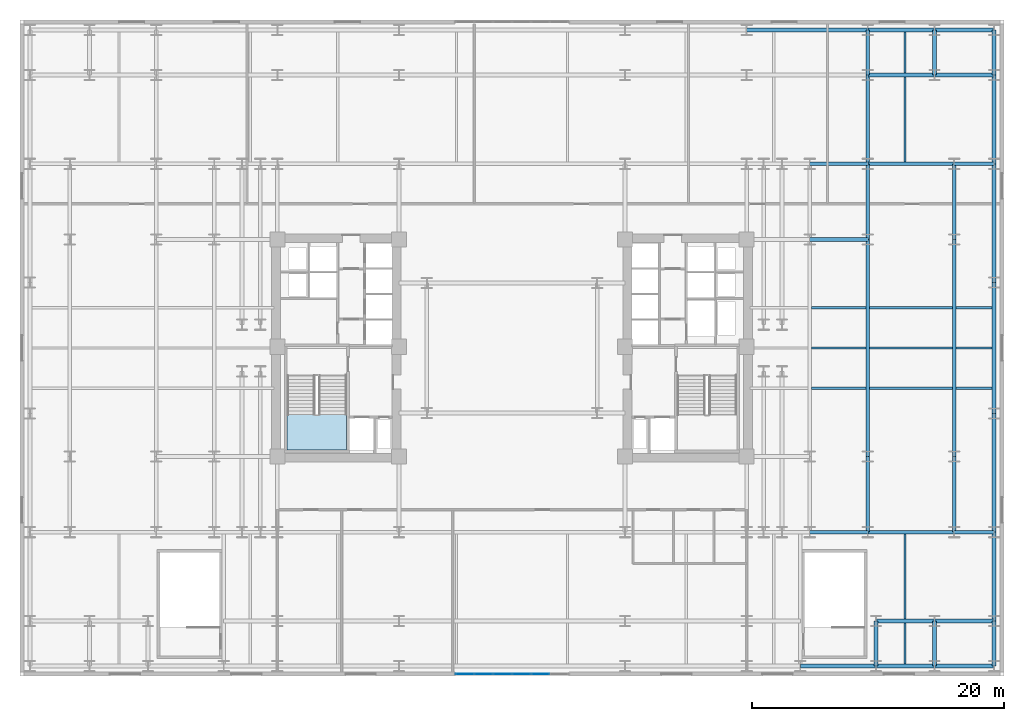
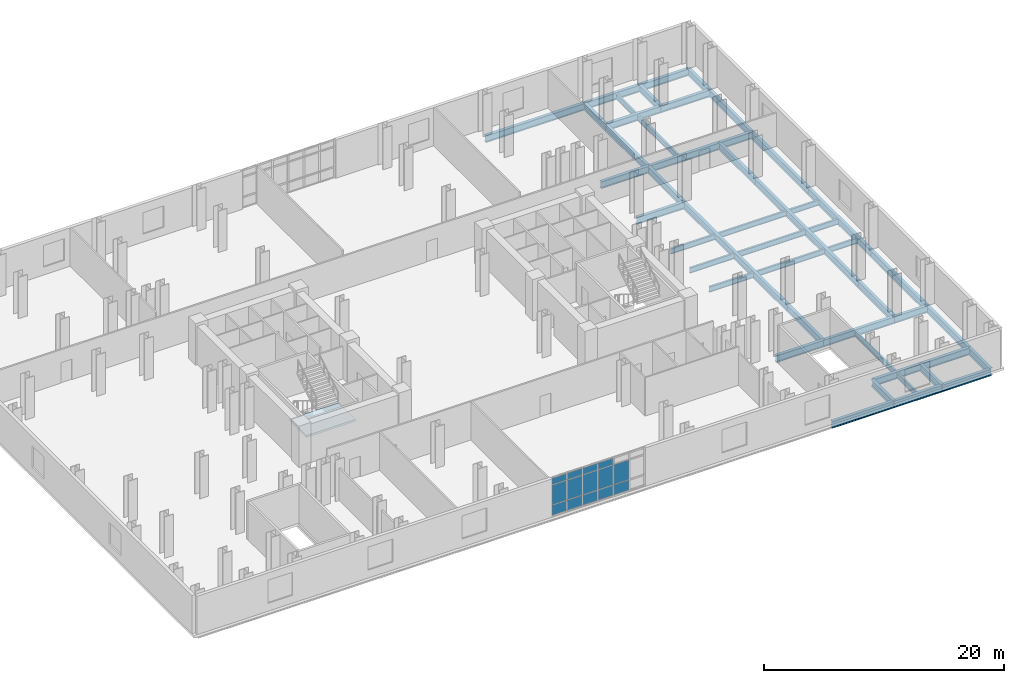
# One storey, part 6 of 13: 48 beams, 14 plates, 1 slab, 2 elements without a shape of their own.
"""IFC4 building model written with IfcOpenShell, lengths in metres."""

from ifc_helpers import new_model, si_unit, direction, frame, origin, origin_2d, place, context, subcontext, project, spatial, polyline, rectangle, i_section, outline, extrude, material, layer, layer_set, material_profile, profile_set, type_object, element, aggregate, save


model = new_model("IFC4")

# Units and contexts
model_context = context("Model", 3, precision=1e-05, world=origin(), true_north=direction((0.0, 1.0)))
body_context = subcontext(model_context, "Body", "Model", "MODEL_VIEW")
ifc_project = project(units=[si_unit("LENGTHUNIT", "METRE"), si_unit("AREAUNIT", "SQUARE_METRE"), si_unit("VOLUMEUNIT", "CUBIC_METRE"), si_unit("PLANEANGLEUNIT", "RADIAN"), si_unit("MASSUNIT", "GRAM", prefix="KILO")], contexts=[model_context])

# Site, building, storey
site_placement = place(None, origin())
site = spatial("IfcSite", under=ifc_project, at=site_placement, CompositionType="ELEMENT")
building_placement = place(site_placement, origin())
building = spatial("IfcBuilding", under=site, at=building_placement, Name="Velakula Bourse", CompositionType="ELEMENT")
storey_placement = place(building_placement, frame((0.0, 0.0, 22.800048828125)))
storey = spatial("IfcBuildingStorey", under=building, at=storey_placement, Name="L05", CompositionType="ELEMENT", Elevation=22.800048828125)

# Beams
ifc_material_1 = material(Name="Steel IS 2062 Grade 350 (E350)", Category="steel")
ifc_material_profile_1 = material_profile(ifc_material_1, i_section(OverallWidth=0.300048828125, OverallDepth=0.699951171875, WebThickness=0.01611328125, FlangeThickness=0.02490234375, at=origin_2d()), Name="Steel IS 2062 Grade 350 (E350)")
ifc_profile_set_1 = profile_set([ifc_material_profile_1], Name="Steel IS 2062 Grade 350 (E350)")
beam_type_1 = type_object("IfcBeamType", Name="BM-POD-700", PredefinedType="BEAM", material=ifc_profile_set_1)
for number, where, z_axis, x_axis, name in (
    (1, (23.60009765625, -14.60009765625, -0.60009765625), (1.0, 0.0, 0.0), (0.0, 1.0, 0.0), "L05 Fulcrum Grid Girder WNG-ES1"),
    (2, (23.60009765625, 8.60009765625, -0.60009765625), (1.0, 0.0, 0.0), (0.0, 1.0, 0.0), "L05 Fulcrum Grid Girder WNG-EN1"),
    (3, (23.60009765625, 14.60009765625, -0.60009765625), (1.0, 0.0, 0.0), (0.0, 1.0, 0.0), "L05 Fulcrum Grid Girder WNG-EN2"),
):
    element("IfcBeam", number, at=place(storey_placement, frame(where, z_axis=z_axis, x_axis=x_axis)), inside=storey, type_object=beam_type_1, Name=name, PredefinedType="BEAM", context=body_context, shape_type="SweptSolid", body=[
        extrude(i_section(OverallWidth=0.300048828125, OverallDepth=0.699951171875, WebThickness=0.01611328125, FlangeThickness=0.02490234375, at=origin_2d()), origin(), (0.0, 0.0, 1.0), 4.599853515625),
    ])
beam_1_placement = place(storey_placement, frame((28.199951171875, -14.60009765625, -0.60009765625), z_axis=(0.0, 1.0, 0.0), x_axis=(-1.0, 0.0, 0.0)))
element("IfcBeam", 4, at=beam_1_placement, inside=storey, type_object=beam_type_1, Name="L05 Fulcrum Grid Girder WNG-ENS1", PredefinedType="BEAM", context=body_context, shape_type="SweptSolid", body=[
    extrude(i_section(OverallWidth=0.300048828125, OverallDepth=0.699951171875, WebThickness=0.01611328125, FlangeThickness=0.02490234375, at=origin_2d()), origin(), (0.0, 0.0, 1.0), 6.0),
])
beam_2_placement = place(storey_placement, frame((28.199951171875, -8.60009765625, -0.60009765625), z_axis=(0.0, 1.0, 0.0), x_axis=(-1.0, 0.0, 0.0)))
element("IfcBeam", 5, at=beam_2_placement, inside=storey, type_object=beam_type_1, Name="L05 Fulcrum Grid Girder WNG-ENS2", PredefinedType="BEAM", context=body_context, shape_type="SweptSolid", body=[
    extrude(i_section(OverallWidth=0.300048828125, OverallDepth=0.699951171875, WebThickness=0.01611328125, FlangeThickness=0.02490234375, at=origin_2d()), origin(), (0.0, 0.0, 1.0), 17.2001953125),
])
for number, where, z_axis, x_axis, name in (
    (6, (28.199951171875, 8.60009765625, -0.60009765625), (0.0, 1.0, 0.0), (-1.0, 0.0, 0.0), "L05 Fulcrum Grid Girder WNG-ENS3"),
    (7, (22.85009765625, -25.199951171875, -0.60009765625), (1.0, 0.0, 0.0), (0.0, 1.0, 0.0), "L05 Podium E-W Girder 09"),
):
    element("IfcBeam", number, at=place(storey_placement, frame(where, z_axis=z_axis, x_axis=x_axis)), inside=storey, type_object=beam_type_1, Name=name, PredefinedType="BEAM", context=body_context, shape_type="SweptSolid", body=[
        extrude(i_section(OverallWidth=0.300048828125, OverallDepth=0.699951171875, WebThickness=0.01611328125, FlangeThickness=0.02490234375, at=origin_2d()), origin(), (0.0, 0.0, 1.0), 6.0),
    ])
beam_3_placement = place(storey_placement, frame((28.85009765625, -25.199951171875, -0.60009765625), z_axis=(1.0, 0.0, 0.0), x_axis=(0.0, 1.0, 0.0)))
element("IfcBeam", 8, at=beam_3_placement, inside=storey, type_object=beam_type_1, Name="L05 Podium E-W Girder 10", PredefinedType="BEAM", context=body_context, shape_type="SweptSolid", body=[
    extrude(i_section(OverallWidth=0.300048828125, OverallDepth=0.699951171875, WebThickness=0.01611328125, FlangeThickness=0.02490234375, at=origin_2d()), origin(), (0.0, 0.0, 1.0), 4.64990234375),
])
beam_4_placement = place(storey_placement, frame((33.5, -25.199951171875, -0.60009765625), z_axis=(1.0, 0.0, 0.0), x_axis=(0.0, 1.0, 0.0)))
element("IfcBeam", 9, at=beam_4_placement, inside=storey, type_object=beam_type_1, Name="L05 Podium E-W Girder 11", PredefinedType="BEAM", context=body_context, shape_type="SweptSolid", body=[
    extrude(i_section(OverallWidth=0.300048828125, OverallDepth=0.699951171875, WebThickness=0.01611328125, FlangeThickness=0.02490234375, at=origin_2d()), origin(), (0.0, 0.0, 1.0), 4.699951171875),
])
beam_5_placement = place(storey_placement, frame((28.85009765625, -21.64990234375, -0.60009765625), z_axis=(1.0, 0.0, 0.0), x_axis=(0.0, 1.0, 0.0)))
element("IfcBeam", 10, at=beam_5_placement, inside=storey, type_object=beam_type_1, Name="L05 Podium E-W Girder 19", PredefinedType="BEAM", context=body_context, shape_type="SweptSolid", body=[
    extrude(i_section(OverallWidth=0.300048828125, OverallDepth=0.699951171875, WebThickness=0.01611328125, FlangeThickness=0.02490234375, at=origin_2d()), origin(), (0.0, 0.0, 1.0), 4.64990234375),
])
beam_6_placement = place(storey_placement, frame((33.5, -21.64990234375, -0.60009765625), z_axis=(1.0, 0.0, 0.0), x_axis=(0.0, 1.0, 0.0)))
element("IfcBeam", 11, at=beam_6_placement, inside=storey, type_object=beam_type_1, Name="L05 Podium E-W Girder 20", PredefinedType="BEAM", context=body_context, shape_type="SweptSolid", body=[
    extrude(i_section(OverallWidth=0.300048828125, OverallDepth=0.699951171875, WebThickness=0.01611328125, FlangeThickness=0.02490234375, at=origin_2d()), origin(), (0.0, 0.0, 1.0), 4.699951171875),
])
beam_7_placement = place(storey_placement, frame((28.199951171875, -14.60009765625, -0.60009765625), z_axis=(1.0, 0.0, 0.0), x_axis=(0.0, 1.0, 0.0)))
element("IfcBeam", 12, at=beam_7_placement, inside=storey, type_object=beam_type_1, Name="L05 Podium E-W Girder 32", PredefinedType="BEAM", context=body_context, shape_type="SweptSolid", body=[
    extrude(i_section(OverallWidth=0.300048828125, OverallDepth=0.699951171875, WebThickness=0.01611328125, FlangeThickness=0.02490234375, at=origin_2d()), origin(), (0.0, 0.0, 1.0), 6.85009765625),
])
beam_8_placement = place(storey_placement, frame((35.050048828125, -14.60009765625, -0.60009765625), z_axis=(1.0, 0.0, 0.0), x_axis=(0.0, 1.0, 0.0)))
element("IfcBeam", 13, at=beam_8_placement, inside=storey, type_object=beam_type_1, Name="L05 Podium E-W Girder 33", PredefinedType="BEAM", context=body_context, shape_type="SweptSolid", body=[
    extrude(i_section(OverallWidth=0.300048828125, OverallDepth=0.699951171875, WebThickness=0.01611328125, FlangeThickness=0.02490234375, at=origin_2d()), origin(), (0.0, 0.0, 1.0), 3.14990234375),
])
beam_9_placement = place(storey_placement, frame((28.199951171875, 14.60009765625, -0.60009765625), z_axis=(1.0, 0.0, 0.0), x_axis=(0.0, 1.0, 0.0)))
element("IfcBeam", 14, at=beam_9_placement, inside=storey, type_object=beam_type_1, Name="L05 Podium E-W Girder 45", PredefinedType="BEAM", context=body_context, shape_type="SweptSolid", body=[
    extrude(i_section(OverallWidth=0.300048828125, OverallDepth=0.699951171875, WebThickness=0.01611328125, FlangeThickness=0.02490234375, at=origin_2d()), origin(), (0.0, 0.0, 1.0), 6.85009765625),
])
beam_10_placement = place(storey_placement, frame((35.050048828125, 14.60009765625, -0.60009765625), z_axis=(1.0, 0.0, 0.0), x_axis=(0.0, 1.0, 0.0)))
element("IfcBeam", 15, at=beam_10_placement, inside=storey, type_object=beam_type_1, Name="L05 Podium E-W Girder 46", PredefinedType="BEAM", context=body_context, shape_type="SweptSolid", body=[
    extrude(i_section(OverallWidth=0.300048828125, OverallDepth=0.699951171875, WebThickness=0.01611328125, FlangeThickness=0.02490234375, at=origin_2d()), origin(), (0.0, 0.0, 1.0), 3.14990234375),
])
beam_11_placement = place(storey_placement, frame((28.199951171875, 21.64990234375, -0.60009765625), z_axis=(1.0, 0.0, 0.0), x_axis=(0.0, 1.0, 0.0)))
element("IfcBeam", 16, at=beam_11_placement, inside=storey, type_object=beam_type_1, Name="L05 Podium E-W Girder 54", PredefinedType="BEAM", context=body_context, shape_type="SweptSolid", body=[
    extrude(i_section(OverallWidth=0.300048828125, OverallDepth=0.699951171875, WebThickness=0.01611328125, FlangeThickness=0.02490234375, at=origin_2d()), origin(), (0.0, 0.0, 1.0), 5.300048828125),
])
beam_12_placement = place(storey_placement, frame((33.5, 21.64990234375, -0.60009765625), z_axis=(1.0, 0.0, 0.0), x_axis=(0.0, 1.0, 0.0)))
element("IfcBeam", 17, at=beam_12_placement, inside=storey, type_object=beam_type_1, Name="L05 Podium E-W Girder 55", PredefinedType="BEAM", context=body_context, shape_type="SweptSolid", body=[
    extrude(i_section(OverallWidth=0.300048828125, OverallDepth=0.699951171875, WebThickness=0.01611328125, FlangeThickness=0.02490234375, at=origin_2d()), origin(), (0.0, 0.0, 1.0), 4.699951171875),
])
beam_13_placement = place(storey_placement, frame((18.60009765625, 25.199951171875, -0.60009765625), z_axis=(1.0, 0.0, 0.0), x_axis=(0.0, 1.0, 0.0)))
element("IfcBeam", 18, at=beam_13_placement, inside=storey, type_object=beam_type_1, Name="L05 Podium E-W Girder 62", PredefinedType="BEAM", context=body_context, shape_type="SweptSolid", body=[
    extrude(i_section(OverallWidth=0.300048828125, OverallDepth=0.699951171875, WebThickness=0.01611328125, FlangeThickness=0.02490234375, at=origin_2d()), origin(), (0.0, 0.0, 1.0), 9.599853515625),
])
beam_14_placement = place(storey_placement, frame((28.199951171875, 25.199951171875, -0.60009765625), z_axis=(1.0, 0.0, 0.0), x_axis=(0.0, 1.0, 0.0)))
element("IfcBeam", 19, at=beam_14_placement, inside=storey, type_object=beam_type_1, Name="L05 Podium E-W Girder 63", PredefinedType="BEAM", context=body_context, shape_type="SweptSolid", body=[
    extrude(i_section(OverallWidth=0.300048828125, OverallDepth=0.699951171875, WebThickness=0.01611328125, FlangeThickness=0.02490234375, at=origin_2d()), origin(), (0.0, 0.0, 1.0), 5.300048828125),
])
beam_15_placement = place(storey_placement, frame((33.5, 25.199951171875, -0.60009765625), z_axis=(1.0, 0.0, 0.0), x_axis=(0.0, 1.0, 0.0)))
element("IfcBeam", 20, at=beam_15_placement, inside=storey, type_object=beam_type_1, Name="L05 Podium E-W Girder 64", PredefinedType="BEAM", context=body_context, shape_type="SweptSolid", body=[
    extrude(i_section(OverallWidth=0.300048828125, OverallDepth=0.699951171875, WebThickness=0.01611328125, FlangeThickness=0.02490234375, at=origin_2d()), origin(), (0.0, 0.0, 1.0), 4.699951171875),
])
beam_16_placement = place(storey_placement, frame((28.199951171875, 14.60009765625, -0.60009765625), z_axis=(0.0, 1.0, 0.0), x_axis=(-1.0, 0.0, 0.0)))
element("IfcBeam", 21, at=beam_16_placement, inside=storey, type_object=beam_type_1, Name="L05 Podium N-S Girder 85", PredefinedType="BEAM", context=body_context, shape_type="SweptSolid", body=[
    extrude(i_section(OverallWidth=0.300048828125, OverallDepth=0.699951171875, WebThickness=0.01611328125, FlangeThickness=0.02490234375, at=origin_2d()), origin(), (0.0, 0.0, 1.0), 7.0498046875),
])
for number, where, z_axis, x_axis, name in (
    (22, (28.199951171875, 21.64990234375, -0.60009765625), (0.0, 1.0, 0.0), (-1.0, 0.0, 0.0), "L05 Podium N-S Girder 86"),
    (23, (28.85009765625, -25.199951171875, -0.60009765625), (0.0, 1.0, 0.0), (-1.0, 0.0, 0.0), "L05 Podium N-S Girder 87"),
    (24, (33.5, -25.199951171875, -0.60009765625), (0.0, 1.0, 0.0), (-1.0, 0.0, 0.0), "L05 Podium N-S Girder 88"),
):
    element("IfcBeam", number, at=place(storey_placement, frame(where, z_axis=z_axis, x_axis=x_axis)), inside=storey, type_object=beam_type_1, Name=name, PredefinedType="BEAM", context=body_context, shape_type="SweptSolid", body=[
        extrude(i_section(OverallWidth=0.300048828125, OverallDepth=0.699951171875, WebThickness=0.01611328125, FlangeThickness=0.02490234375, at=origin_2d()), origin(), (0.0, 0.0, 1.0), 3.550048828125),
    ])
beam_17_placement = place(storey_placement, frame((35.050048828125, -14.60009765625, -0.60009765625), z_axis=(0.0, 1.0, 0.0), x_axis=(-1.0, 0.0, 0.0)))
element("IfcBeam", 25, at=beam_17_placement, inside=storey, type_object=beam_type_1, Name="L05 Podium N-S Girder 89", PredefinedType="BEAM", context=body_context, shape_type="SweptSolid", body=[
    extrude(i_section(OverallWidth=0.300048828125, OverallDepth=0.699951171875, WebThickness=0.01611328125, FlangeThickness=0.02490234375, at=origin_2d()), origin(), (0.0, 0.0, 1.0), 6.0),
])
beam_18_placement = place(storey_placement, frame((35.050048828125, -8.60009765625, -0.60009765625), z_axis=(0.0, 1.0, 0.0), x_axis=(-1.0, 0.0, 0.0)))
element("IfcBeam", 26, at=beam_18_placement, inside=storey, type_object=beam_type_1, Name="L05 Podium N-S Girder 90", PredefinedType="BEAM", context=body_context, shape_type="SweptSolid", body=[
    extrude(i_section(OverallWidth=0.300048828125, OverallDepth=0.699951171875, WebThickness=0.01611328125, FlangeThickness=0.02490234375, at=origin_2d()), origin(), (0.0, 0.0, 1.0), 17.2001953125),
])
beam_19_placement = place(storey_placement, frame((35.050048828125, 8.60009765625, -0.60009765625), z_axis=(0.0, 1.0, 0.0), x_axis=(-1.0, 0.0, 0.0)))
element("IfcBeam", 27, at=beam_19_placement, inside=storey, type_object=beam_type_1, Name="L05 Podium N-S Girder 91", PredefinedType="BEAM", context=body_context, shape_type="SweptSolid", body=[
    extrude(i_section(OverallWidth=0.300048828125, OverallDepth=0.699951171875, WebThickness=0.01611328125, FlangeThickness=0.02490234375, at=origin_2d()), origin(), (0.0, 0.0, 1.0), 6.0),
])
beam_20_placement = place(storey_placement, frame((38.199951171875, -25.199951171875, -0.60009765625), z_axis=(0.0, 1.0, 0.0), x_axis=(-1.0, 0.0, 0.0)))
element("IfcBeam", 28, at=beam_20_placement, inside=storey, type_object=beam_type_1, Name="L05 Podium N-S Girder 92", PredefinedType="BEAM", context=body_context, shape_type="SweptSolid", body=[
    extrude(i_section(OverallWidth=0.300048828125, OverallDepth=0.699951171875, WebThickness=0.01611328125, FlangeThickness=0.02490234375, at=origin_2d()), origin(), (0.0, 0.0, 1.0), 3.550048828125),
])
beam_21_placement = place(storey_placement, frame((38.199951171875, -21.64990234375, -0.60009765625), z_axis=(0.0, 1.0, 0.0), x_axis=(-1.0, 0.0, 0.0)))
element("IfcBeam", 29, at=beam_21_placement, inside=storey, type_object=beam_type_1, Name="L05 Podium N-S Girder 93", PredefinedType="BEAM", context=body_context, shape_type="SweptSolid", body=[
    extrude(i_section(OverallWidth=0.300048828125, OverallDepth=0.699951171875, WebThickness=0.01611328125, FlangeThickness=0.02490234375, at=origin_2d()), origin(), (0.0, 0.0, 1.0), 7.0498046875),
])
beam_22_placement = place(storey_placement, frame((38.199951171875, -14.60009765625, -0.60009765625), z_axis=(0.0, 1.0, 0.0), x_axis=(-1.0, 0.0, 0.0)))
element("IfcBeam", 30, at=beam_22_placement, inside=storey, type_object=beam_type_1, Name="L05 Podium N-S Girder 94", PredefinedType="BEAM", context=body_context, shape_type="SweptSolid", body=[
    extrude(i_section(OverallWidth=0.300048828125, OverallDepth=0.699951171875, WebThickness=0.01611328125, FlangeThickness=0.02490234375, at=origin_2d()), origin(), (0.0, 0.0, 1.0), 9.400146484375),
])
beam_23_placement = place(storey_placement, frame((38.199951171875, -5.199951171875, -0.60009765625), z_axis=(0.0, 1.0, 0.0), x_axis=(-1.0, 0.0, 0.0)))
element("IfcBeam", 31, at=beam_23_placement, inside=storey, type_object=beam_type_1, Name="L05 Podium N-S Girder 95", PredefinedType="BEAM", context=body_context, shape_type="SweptSolid", body=[
    extrude(i_section(OverallWidth=0.300048828125, OverallDepth=0.699951171875, WebThickness=0.01611328125, FlangeThickness=0.02490234375, at=origin_2d()), origin(), (0.0, 0.0, 1.0), 10.39990234375),
])
beam_24_placement = place(storey_placement, frame((38.199951171875, 5.199951171875, -0.60009765625), z_axis=(0.0, 1.0, 0.0), x_axis=(-1.0, 0.0, 0.0)))
element("IfcBeam", 32, at=beam_24_placement, inside=storey, type_object=beam_type_1, Name="L05 Podium N-S Girder 96", PredefinedType="BEAM", context=body_context, shape_type="SweptSolid", body=[
    extrude(i_section(OverallWidth=0.300048828125, OverallDepth=0.699951171875, WebThickness=0.01611328125, FlangeThickness=0.02490234375, at=origin_2d()), origin(), (0.0, 0.0, 1.0), 9.400146484375),
])
beam_25_placement = place(storey_placement, frame((38.199951171875, 14.60009765625, -0.60009765625), z_axis=(0.0, 1.0, 0.0), x_axis=(-1.0, 0.0, 0.0)))
element("IfcBeam", 33, at=beam_25_placement, inside=storey, type_object=beam_type_1, Name="L05 Podium N-S Girder 97", PredefinedType="BEAM", context=body_context, shape_type="SweptSolid", body=[
    extrude(i_section(OverallWidth=0.300048828125, OverallDepth=0.699951171875, WebThickness=0.01611328125, FlangeThickness=0.02490234375, at=origin_2d()), origin(), (0.0, 0.0, 1.0), 7.0498046875),
])
for number, where, z_axis, x_axis, name in (
    (34, (38.199951171875, 21.64990234375, -0.60009765625), (0.0, 1.0, 0.0), (-1.0, 0.0, 0.0), "L05 Podium N-S Girder 98"),
    (35, (33.5, 21.64990234375, -0.60009765625), (0.0, 1.0, 0.0), (-1.0, 0.0, 0.0), "L05 Podium N-S Girder 100"),
):
    element("IfcBeam", number, at=place(storey_placement, frame(where, z_axis=z_axis, x_axis=x_axis)), inside=storey, type_object=beam_type_1, Name=name, PredefinedType="BEAM", context=body_context, shape_type="SweptSolid", body=[
        extrude(i_section(OverallWidth=0.300048828125, OverallDepth=0.699951171875, WebThickness=0.01611328125, FlangeThickness=0.02490234375, at=origin_2d()), origin(), (0.0, 0.0, 1.0), 3.550048828125),
    ])
ifc_material_profile_2 = material_profile(ifc_material_1, i_section(OverallWidth=0.18994140625, OverallDepth=0.550048828125, WebThickness=0.01123046875, FlangeThickness=0.019287109375, at=origin_2d()), Name="Steel IS 2062 Grade 350 (E350)")
ifc_profile_set_2 = profile_set([ifc_material_profile_2], Name="Steel IS 2062 Grade 350 (E350)")
beam_type_2 = type_object("IfcBeamType", Name="JST-POD-550", PredefinedType="JOIST", material=ifc_profile_set_2)
beam_26_placement = place(storey_placement, frame((31.14990234375, -25.050048828125, -0.525146484375), z_axis=(0.0, 1.0, 0.0), x_axis=(-1.0, 0.0, 0.0)))
element("IfcBeam", 36, at=beam_26_placement, inside=storey, type_object=beam_type_2, Name="L05 Station Podium Floor Joist 29", PredefinedType="JOIST", context=body_context, shape_type="SweptSolid", body=[
    extrude(i_section(OverallWidth=0.18994140625, OverallDepth=0.550048828125, WebThickness=0.01123046875, FlangeThickness=0.019287109375, at=origin_2d()), origin(), (0.0, 0.0, 1.0), 3.25),
])
for number, where, z_axis, x_axis, name in (
    (37, (31.14990234375, -21.5, -0.525146484375), (0.0, 1.0, 0.0), (-1.0, 0.0, 0.0), "L05 Station Podium Floor Joist 30"),
    (38, (31.14990234375, 14.75, -0.525146484375), (0.0, 1.0, 0.0), (-1.0, 0.0, 0.0), "L05 Station Podium Floor Joist 31"),
):
    element("IfcBeam", number, at=place(storey_placement, frame(where, z_axis=z_axis, x_axis=x_axis)), inside=storey, type_object=beam_type_2, Name=name, PredefinedType="JOIST", context=body_context, shape_type="SweptSolid", body=[
        extrude(i_section(OverallWidth=0.18994140625, OverallDepth=0.550048828125, WebThickness=0.01123046875, FlangeThickness=0.019287109375, at=origin_2d()), origin(), (0.0, 0.0, 1.0), 6.75),
    ])
beam_27_placement = place(storey_placement, frame((31.14990234375, 21.800048828125, -0.525146484375), z_axis=(0.0, 1.0, 0.0), x_axis=(-1.0, 0.0, 0.0)))
element("IfcBeam", 39, at=beam_27_placement, inside=storey, type_object=beam_type_2, Name="L05 Station Podium Floor Joist 32", PredefinedType="JOIST", context=body_context, shape_type="SweptSolid", body=[
    extrude(i_section(OverallWidth=0.18994140625, OverallDepth=0.550048828125, WebThickness=0.01123046875, FlangeThickness=0.019287109375, at=origin_2d()), origin(), (0.0, 0.0, 1.0), 3.25),
])
beam_28_placement = place(storey_placement, frame((23.75, -3.199951171875, -0.525146484375), z_axis=(1.0, 0.0, 0.0), x_axis=(0.0, 1.0, 0.0)))
element("IfcBeam", 40, at=beam_28_placement, inside=storey, type_object=beam_type_2, Name="L05 Station Wing Floor Joist 38", PredefinedType="JOIST", context=body_context, shape_type="SweptSolid", body=[
    extrude(i_section(OverallWidth=0.18994140625, OverallDepth=0.550048828125, WebThickness=0.01123046875, FlangeThickness=0.019287109375, at=origin_2d()), origin(), (0.0, 0.0, 1.0), 4.300048828125),
])
beam_29_placement = place(storey_placement, frame((28.35009765625, -3.199951171875, -0.525146484375), z_axis=(1.0, 0.0, 0.0), x_axis=(0.0, 1.0, 0.0)))
element("IfcBeam", 41, at=beam_29_placement, inside=storey, type_object=beam_type_2, Name="L05 Station Wing Floor Joist 39", PredefinedType="JOIST", context=body_context, shape_type="SweptSolid", body=[
    extrude(i_section(OverallWidth=0.18994140625, OverallDepth=0.550048828125, WebThickness=0.01123046875, FlangeThickness=0.019287109375, at=origin_2d()), origin(), (0.0, 0.0, 1.0), 6.5498046875),
])
beam_30_placement = place(storey_placement, frame((35.199951171875, -3.199951171875, -0.525146484375), z_axis=(1.0, 0.0, 0.0), x_axis=(0.0, 1.0, 0.0)))
element("IfcBeam", 42, at=beam_30_placement, inside=storey, type_object=beam_type_2, Name="L05 Station Wing Floor Joist 40", PredefinedType="JOIST", context=body_context, shape_type="SweptSolid", body=[
    extrude(i_section(OverallWidth=0.18994140625, OverallDepth=0.550048828125, WebThickness=0.01123046875, FlangeThickness=0.019287109375, at=origin_2d()), origin(), (0.0, 0.0, 1.0), 2.85009765625),
])
beam_31_placement = place(storey_placement, frame((23.75, 0.0, -0.525146484375), z_axis=(1.0, 0.0, 0.0), x_axis=(0.0, 1.0, 0.0)))
element("IfcBeam", 43, at=beam_31_placement, inside=storey, type_object=beam_type_2, Name="L05 Station Wing Floor Joist 46", PredefinedType="JOIST", context=body_context, shape_type="SweptSolid", body=[
    extrude(i_section(OverallWidth=0.18994140625, OverallDepth=0.550048828125, WebThickness=0.01123046875, FlangeThickness=0.019287109375, at=origin_2d()), origin(), (0.0, 0.0, 1.0), 4.300048828125),
])
beam_32_placement = place(storey_placement, frame((28.35009765625, 0.0, -0.525146484375), z_axis=(1.0, 0.0, 0.0), x_axis=(0.0, 1.0, 0.0)))
element("IfcBeam", 44, at=beam_32_placement, inside=storey, type_object=beam_type_2, Name="L05 Station Wing Floor Joist 47", PredefinedType="JOIST", context=body_context, shape_type="SweptSolid", body=[
    extrude(i_section(OverallWidth=0.18994140625, OverallDepth=0.550048828125, WebThickness=0.01123046875, FlangeThickness=0.019287109375, at=origin_2d()), origin(), (0.0, 0.0, 1.0), 6.5498046875),
])
beam_33_placement = place(storey_placement, frame((35.199951171875, 0.0, -0.525146484375), z_axis=(1.0, 0.0, 0.0), x_axis=(0.0, 1.0, 0.0)))
element("IfcBeam", 45, at=beam_33_placement, inside=storey, type_object=beam_type_2, Name="L05 Station Wing Floor Joist 48", PredefinedType="JOIST", context=body_context, shape_type="SweptSolid", body=[
    extrude(i_section(OverallWidth=0.18994140625, OverallDepth=0.550048828125, WebThickness=0.01123046875, FlangeThickness=0.019287109375, at=origin_2d()), origin(), (0.0, 0.0, 1.0), 2.85009765625),
])
beam_34_placement = place(storey_placement, frame((23.75, 3.199951171875, -0.525146484375), z_axis=(1.0, 0.0, 0.0), x_axis=(0.0, 1.0, 0.0)))
element("IfcBeam", 46, at=beam_34_placement, inside=storey, type_object=beam_type_2, Name="L05 Station Wing Floor Joist 54", PredefinedType="JOIST", context=body_context, shape_type="SweptSolid", body=[
    extrude(i_section(OverallWidth=0.18994140625, OverallDepth=0.550048828125, WebThickness=0.01123046875, FlangeThickness=0.019287109375, at=origin_2d()), origin(), (0.0, 0.0, 1.0), 4.300048828125),
])
beam_35_placement = place(storey_placement, frame((28.35009765625, 3.199951171875, -0.525146484375), z_axis=(1.0, 0.0, 0.0), x_axis=(0.0, 1.0, 0.0)))
element("IfcBeam", 47, at=beam_35_placement, inside=storey, type_object=beam_type_2, Name="L05 Station Wing Floor Joist 55", PredefinedType="JOIST", context=body_context, shape_type="SweptSolid", body=[
    extrude(i_section(OverallWidth=0.18994140625, OverallDepth=0.550048828125, WebThickness=0.01123046875, FlangeThickness=0.019287109375, at=origin_2d()), origin(), (0.0, 0.0, 1.0), 6.5498046875),
])
beam_36_placement = place(storey_placement, frame((35.199951171875, 3.199951171875, -0.525146484375), z_axis=(1.0, 0.0, 0.0), x_axis=(0.0, 1.0, 0.0)))
element("IfcBeam", 48, at=beam_36_placement, inside=storey, type_object=beam_type_2, Name="L05 Station Wing Floor Joist 56", PredefinedType="JOIST", context=body_context, shape_type="SweptSolid", body=[
    extrude(i_section(OverallWidth=0.18994140625, OverallDepth=0.550048828125, WebThickness=0.01123046875, FlangeThickness=0.019287109375, at=origin_2d()), origin(), (0.0, 0.0, 1.0), 2.85009765625),
])

# Curtain wall, plates
ifc_material_2 = material(Name="Anodised bronze architectural aluminium", Category="aluminium")
ifc_layer_1 = layer(ifc_material_2, 0.179931640625, Name="Anodised bronze architectural aluminium", Category="aluminium")
ifc_layer_set_1 = layer_set([ifc_layer_1], Name="Anodised bronze architectural aluminium")
curtain_wall_type = type_object("IfcCurtainWallType", Name="CW-PD1", PredefinedType="NOTDEFINED", material=ifc_layer_set_1)
curtain_wall_placement = place(storey_placement, origin())
curtain_wall = element("IfcCurtainWall", 49, at=curtain_wall_placement, inside=storey, type_object=curtain_wall_type, Name="L05 South Station Galleria Curtain Wall 2", PredefinedType="NOTDEFINED")
ifc_material_3 = material(Name="Double-glazed solar-control Low-E glass", Category="glass")
ifc_layer_2 = layer(ifc_material_3, 0.02587890625, Name="Double-glazed solar-control Low-E glass", Category="glass")
ifc_layer_set_2 = layer_set([ifc_layer_2], Name="Double-glazed solar-control Low-E glass")
plate_type = type_object("IfcPlateType", Name="PNL-CW-PD1", PredefinedType="CURTAIN_PANEL", material=ifc_layer_set_2)
plate_1_placement = place(storey_placement, frame((2.25, -25.840087890625, 0.06005859375), z_axis=(0.0, 0.0, 1.0), x_axis=(-1.0, 0.0, 0.0)))
plate_1 = element("IfcPlate", 50, at=plate_1_placement, type_object=plate_type, Name="CW-PD1 panel 2.1", PredefinedType="CURTAIN_PANEL", context=body_context, shape_type="SweptSolid", body=[
    extrude(rectangle(XDim=1.43994140625, YDim=0.028076171875, at=origin_2d()), origin(), (0.0, 0.0, 1.0), 1.010009765625),
])
plate_2_placement = place(storey_placement, frame((2.25, -25.840087890625, 1.1298828125), z_axis=(0.0, 0.0, 1.0), x_axis=(-1.0, 0.0, 0.0)))
plate_2 = element("IfcPlate", 51, at=plate_2_placement, type_object=plate_type, Name="CW-PD1 panel 2.2", PredefinedType="CURTAIN_PANEL", context=body_context, shape_type="SweptSolid", body=[
    extrude(rectangle(XDim=1.43994140625, YDim=0.028076171875, at=origin_2d()), origin(), (0.0, 0.0, 1.0), 1.989990234375),
])
plate_3_placement = place(storey_placement, frame((0.75, -25.840087890625, 0.06005859375), z_axis=(0.0, 0.0, 1.0), x_axis=(-1.0, 0.0, 0.0)))
plate_3 = element("IfcPlate", 52, at=plate_3_placement, type_object=plate_type, Name="CW-PD1 panel 3.1", PredefinedType="CURTAIN_PANEL", context=body_context, shape_type="SweptSolid", body=[
    extrude(rectangle(XDim=1.43994140625, YDim=0.028076171875, at=origin_2d()), origin(), (0.0, 0.0, 1.0), 1.010009765625),
])
plate_4_placement = place(storey_placement, frame((0.75, -25.840087890625, 1.1298828125), z_axis=(0.0, 0.0, 1.0), x_axis=(-1.0, 0.0, 0.0)))
plate_4 = element("IfcPlate", 53, at=plate_4_placement, type_object=plate_type, Name="CW-PD1 panel 3.2", PredefinedType="CURTAIN_PANEL", context=body_context, shape_type="SweptSolid", body=[
    extrude(rectangle(XDim=1.43994140625, YDim=0.028076171875, at=origin_2d()), origin(), (0.0, 0.0, 1.0), 1.989990234375),
])
plate_5_placement = place(storey_placement, frame((0.75, -25.840087890625, 3.18017578125), z_axis=(0.0, 0.0, 1.0), x_axis=(-1.0, 0.0, 0.0)))
plate_5 = element("IfcPlate", 54, at=plate_5_placement, type_object=plate_type, Name="CW-PD1 panel 3.3", PredefinedType="CURTAIN_PANEL", context=body_context, shape_type="SweptSolid", body=[
    extrude(rectangle(XDim=1.43994140625, YDim=0.028076171875, at=origin_2d()), origin(), (0.0, 0.0, 1.0), 0.659912109375),
])
plate_6_placement = place(storey_placement, frame((-0.75, -25.840087890625, 0.06005859375), z_axis=(0.0, 0.0, 1.0), x_axis=(-1.0, 0.0, 0.0)))
plate_6 = element("IfcPlate", 55, at=plate_6_placement, type_object=plate_type, Name="CW-PD1 panel 4.1", PredefinedType="CURTAIN_PANEL", context=body_context, shape_type="SweptSolid", body=[
    extrude(rectangle(XDim=1.43994140625, YDim=0.028076171875, at=origin_2d()), origin(), (0.0, 0.0, 1.0), 1.010009765625),
])
plate_7_placement = place(storey_placement, frame((-0.75, -25.840087890625, 1.1298828125), z_axis=(0.0, 0.0, 1.0), x_axis=(-1.0, 0.0, 0.0)))
plate_7 = element("IfcPlate", 56, at=plate_7_placement, type_object=plate_type, Name="CW-PD1 panel 4.2", PredefinedType="CURTAIN_PANEL", context=body_context, shape_type="SweptSolid", body=[
    extrude(rectangle(XDim=1.43994140625, YDim=0.028076171875, at=origin_2d()), origin(), (0.0, 0.0, 1.0), 1.989990234375),
])
plate_8_placement = place(storey_placement, frame((-0.75, -25.840087890625, 3.18017578125), z_axis=(0.0, 0.0, 1.0), x_axis=(-1.0, 0.0, 0.0)))
plate_8 = element("IfcPlate", 57, at=plate_8_placement, type_object=plate_type, Name="CW-PD1 panel 4.3", PredefinedType="CURTAIN_PANEL", context=body_context, shape_type="SweptSolid", body=[
    extrude(rectangle(XDim=1.43994140625, YDim=0.028076171875, at=origin_2d()), origin(), (0.0, 0.0, 1.0), 0.659912109375),
])
plate_9_placement = place(storey_placement, frame((-2.25, -25.840087890625, 0.06005859375), z_axis=(0.0, 0.0, 1.0), x_axis=(-1.0, 0.0, 0.0)))
plate_9 = element("IfcPlate", 58, at=plate_9_placement, type_object=plate_type, Name="CW-PD1 panel 5.1", PredefinedType="CURTAIN_PANEL", context=body_context, shape_type="SweptSolid", body=[
    extrude(rectangle(XDim=1.43994140625, YDim=0.028076171875, at=origin_2d()), origin(), (0.0, 0.0, 1.0), 1.010009765625),
])
plate_10_placement = place(storey_placement, frame((-2.25, -25.840087890625, 1.1298828125), z_axis=(0.0, 0.0, 1.0), x_axis=(-1.0, 0.0, 0.0)))
plate_10 = element("IfcPlate", 59, at=plate_10_placement, type_object=plate_type, Name="CW-PD1 panel 5.2", PredefinedType="CURTAIN_PANEL", context=body_context, shape_type="SweptSolid", body=[
    extrude(rectangle(XDim=1.43994140625, YDim=0.028076171875, at=origin_2d()), origin(), (0.0, 0.0, 1.0), 1.989990234375),
])
plate_11_placement = place(storey_placement, frame((-2.25, -25.840087890625, 3.18017578125), z_axis=(0.0, 0.0, 1.0), x_axis=(-1.0, 0.0, 0.0)))
plate_11 = element("IfcPlate", 60, at=plate_11_placement, type_object=plate_type, Name="CW-PD1 panel 5.3", PredefinedType="CURTAIN_PANEL", context=body_context, shape_type="SweptSolid", body=[
    extrude(rectangle(XDim=1.43994140625, YDim=0.028076171875, at=origin_2d()), origin(), (0.0, 0.0, 1.0), 0.659912109375),
])
plate_12_placement = place(storey_placement, frame((-3.735107421875, -25.840087890625, 0.06005859375), z_axis=(0.0, 0.0, 1.0), x_axis=(-1.0, 0.0, 0.0)))
plate_12 = element("IfcPlate", 61, at=plate_12_placement, type_object=plate_type, Name="CW-PD1 panel 6.1", PredefinedType="CURTAIN_PANEL", context=body_context, shape_type="SweptSolid", body=[
    extrude(rectangle(XDim=1.409912109375, YDim=0.028076171875, at=origin_2d()), origin(), (0.0, 0.0, 1.0), 1.010009765625),
])
plate_13_placement = place(storey_placement, frame((-3.735107421875, -25.840087890625, 1.1298828125), z_axis=(0.0, 0.0, 1.0), x_axis=(-1.0, 0.0, 0.0)))
plate_13 = element("IfcPlate", 62, at=plate_13_placement, type_object=plate_type, Name="CW-PD1 panel 6.2", PredefinedType="CURTAIN_PANEL", context=body_context, shape_type="SweptSolid", body=[
    extrude(rectangle(XDim=1.409912109375, YDim=0.028076171875, at=origin_2d()), origin(), (0.0, 0.0, 1.0), 1.989990234375),
])
plate_14_placement = place(storey_placement, frame((-3.735107421875, -25.840087890625, 3.18017578125), z_axis=(0.0, 0.0, 1.0), x_axis=(-1.0, 0.0, 0.0)))
plate_14 = element("IfcPlate", 63, at=plate_14_placement, type_object=plate_type, Name="CW-PD1 panel 6.3", PredefinedType="CURTAIN_PANEL", context=body_context, shape_type="SweptSolid", body=[
    extrude(rectangle(XDim=1.409912109375, YDim=0.028076171875, at=origin_2d()), origin(), (0.0, 0.0, 1.0), 0.659912109375),
])
aggregate(curtain_wall, [plate_1, plate_2, plate_3, plate_4, plate_5, plate_6, plate_7, plate_8, plate_9, plate_10, plate_11, plate_12, plate_13, plate_14])

# Stair, slab
ifc_material_4 = material(Name="Concrete M45 (fck 45 MPa)", Category="concrete")
stair_type = type_object("IfcStairType", Name="STR-DOG-435", PredefinedType="HALF_TURN_STAIR", material=ifc_material_4)
stair_placement = place(storey_placement, origin())
stair = element("IfcStair", 64, at=stair_placement, inside=storey, type_object=stair_type, Name="L05 West Core Exit Stair ST-W1", PredefinedType="HALF_TURN_STAIR")
ifc_layer_3 = layer(ifc_material_4, 0.199951171875, Name="Concrete M45 (fck 45 MPa)", Category="concrete")
ifc_layer_set_3 = layer_set([ifc_layer_3], Name="Concrete M45 (fck 45 MPa)")
slab_type = type_object("IfcSlabType", Name="SLB-STAIR-LND-200", PredefinedType="LANDING", material=ifc_layer_set_3)
slab_placement = place(storey_placement, frame((0.0, 0.0, 1.89990234375)))
slab = element("IfcSlab", 65, at=slab_placement, type_object=slab_type, Name="ST-W1 landing 1", PredefinedType="LANDING", context=body_context, shape_type="SweptSolid", body=[
    extrude(outline(polyline([(-17.820068359375, -5.280029296875), (-17.820068359375, -8.10009765625), (-13.10009765625, -8.10009765625), (-13.10009765625, -5.280029296875), (-17.820068359375, -5.280029296875)])), origin(), (0.0, 0.0, 1.0), 0.199951171875),
])
aggregate(stair, [slab])

save(model, "model.ifc")
